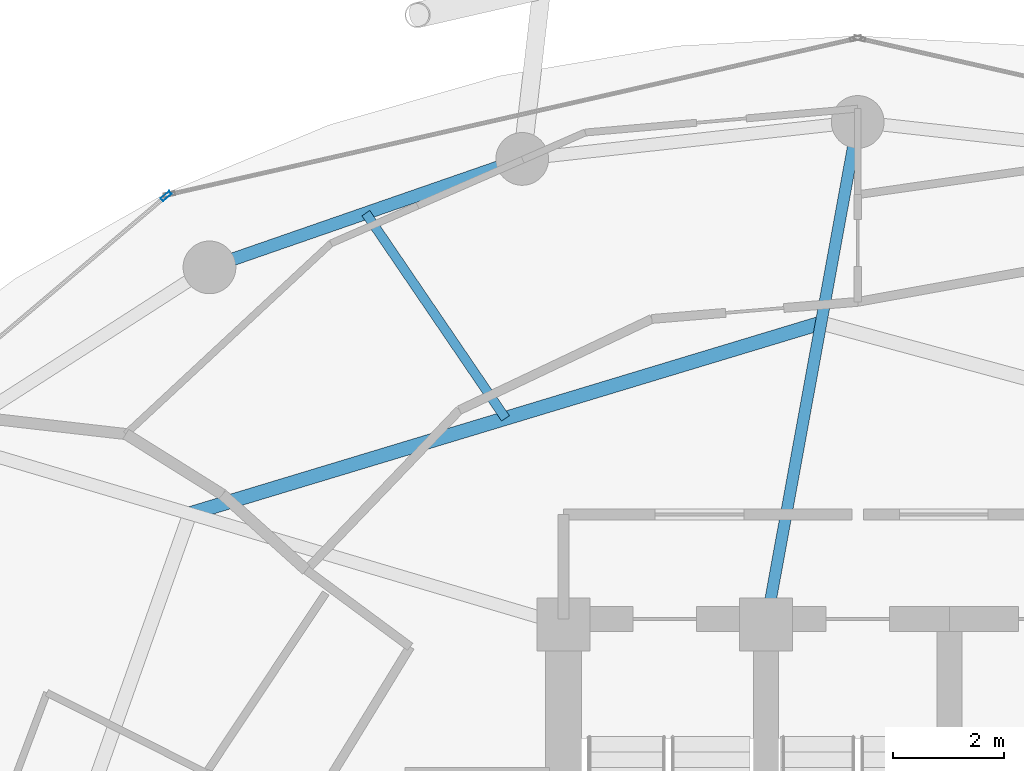
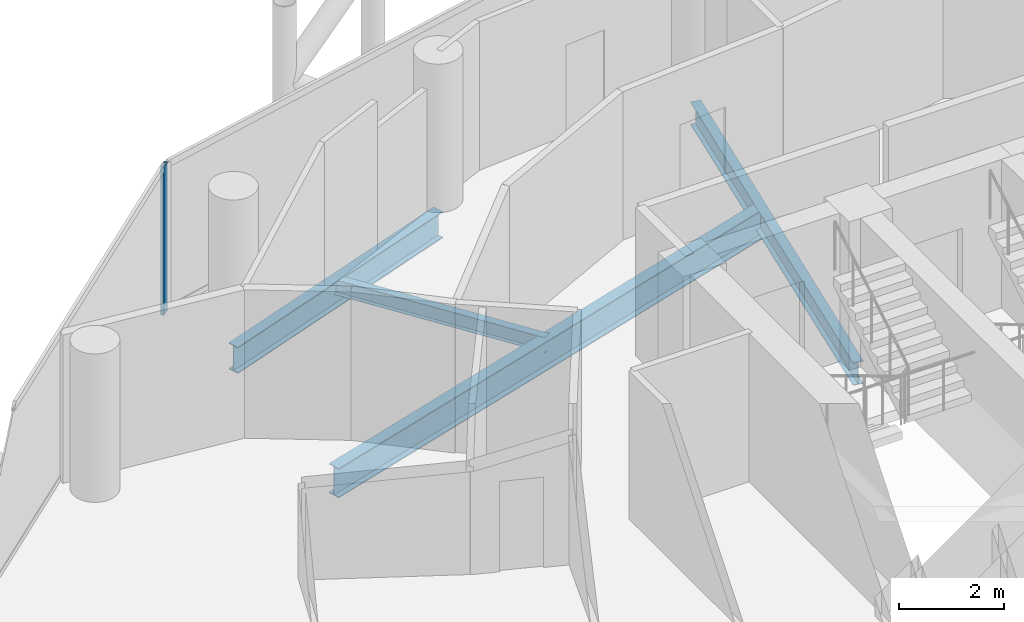
# One storey, part 15 of 26: 4 beams, 1 member, 1 element without a shape of its own.
"""IFC4 building model written with IfcOpenShell, lengths in metres."""

from ifc_helpers import new_model, si_unit, direction, frame, origin, origin_2d, place, context, subcontext, project, spatial, hollow_rectangle, i_section, extrude, material, layer, layer_set, material_profile, profile_set, type_object, element, aggregate, save


model = new_model("IFC4")

# Units and contexts
model_context = context("Model", 3, precision=1e-05, world=origin(), true_north=direction((0.0, 1.0)))
body_context = subcontext(model_context, "Body", "Model", "MODEL_VIEW")
ifc_project = project(units=[si_unit("LENGTHUNIT", "METRE"), si_unit("AREAUNIT", "SQUARE_METRE"), si_unit("VOLUMEUNIT", "CUBIC_METRE"), si_unit("PLANEANGLEUNIT", "RADIAN"), si_unit("MASSUNIT", "GRAM", prefix="KILO")], contexts=[model_context])

# Site, building, storey
site_placement = place(None, origin())
site = spatial("IfcSite", under=ifc_project, at=site_placement, CompositionType="ELEMENT")
building_placement = place(site_placement, origin())
building = spatial("IfcBuilding", under=site, at=building_placement, Name="Nuhasar Tower", CompositionType="ELEMENT")
storey_placement = place(building_placement, frame((0.0, 0.0, 151.550048828125)))
storey = spatial("IfcBuildingStorey", under=building, at=storey_placement, Name="L36", CompositionType="ELEMENT", Elevation=151.550048828125)

# Beams
ifc_material_1 = material(Name="Steel S355", Category="steel")
ifc_material_profile_1 = material_profile(ifc_material_1, i_section(OverallWidth=0.25390625, OverallDepth=0.68408203125, WebThickness=0.012451171875, FlangeThickness=0.018798828125, at=origin_2d()), Name="W27X94")
ifc_profile_set_1 = profile_set([ifc_material_profile_1], Name="Steel S355")
beam_type_1 = type_object("IfcBeamType", Name="BM-INRING-W27X94", PredefinedType="BEAM", material=ifc_profile_set_1)
beam_1_placement = place(storey_placement, frame((38.340087890625, 42.72998046875, -0.592041015625), z_axis=(-0.95722440557, -0.289346569673, 0.0), x_axis=(0.289346569673, -0.95722440557, 0.0)))
element("IfcBeam", 1, at=beam_1_placement, inside=storey, type_object=beam_type_1, Name="L36 Inner Header Beam 06", PredefinedType="BEAM", context=body_context, shape_type="SweptSolid", body=[
    extrude(i_section(OverallWidth=0.25390625, OverallDepth=0.68408203125, WebThickness=0.012451171875, FlangeThickness=0.018798828125, at=origin_2d()), origin(), (0.0, 0.0, 1.0), 11.875244140625),
])
ifc_material_profile_2 = material_profile(ifc_material_1, i_section(OverallWidth=0.1708984375, OverallDepth=0.35205078125, WebThickness=0.0068359375, FlangeThickness=0.009765625, at=origin_2d()), Name="W14X30")
ifc_profile_set_2 = profile_set([ifc_material_profile_2], Name="Steel S355")
beam_type_2 = type_object("IfcBeamType", Name="BM-JST-W14X30", PredefinedType="JOIST", material=ifc_profile_set_2)
beam_2_placement = place(storey_placement, frame((32.656982421875, 41.011962890625, -0.426025390625), z_axis=(-0.562802886474, 0.826591138941, 0.0), x_axis=(-0.826591138941, -0.562802886474, 0.0)))
element("IfcBeam", 2, at=beam_2_placement, inside=storey, type_object=beam_type_2, Name="L36 Secondary Floor Joist 06", PredefinedType="JOIST", context=body_context, shape_type="SweptSolid", body=[
    extrude(i_section(OverallWidth=0.1708984375, OverallDepth=0.35205078125, WebThickness=0.0068359375, FlangeThickness=0.009765625, at=origin_2d()), origin(), (0.0, 0.0, 1.0), 4.47021484375),
])
ifc_material_profile_3 = material_profile(ifc_material_1, i_section(OverallWidth=0.208984375, OverallDepth=0.532958984375, WebThickness=0.01025390625, FlangeThickness=0.015625, at=origin_2d()), Name="W21X62")
ifc_profile_set_3 = profile_set([ifc_material_profile_3], Name="Steel S355")
beam_type_3 = type_object("IfcBeamType", Name="BM-RAD-W21X62", PredefinedType="BEAM", material=ifc_profile_set_3)
beam_3_placement = place(storey_placement, frame((37.35009765625, 37.300048828125, -0.51611328125), z_axis=(0.179352509513, 0.983784873502, 0.0), x_axis=(-0.983784873502, 0.179352509513, 0.0)))
element("IfcBeam", 3, at=beam_3_placement, inside=storey, type_object=beam_type_3, Name="L36 Radial Floor Girder 06", PredefinedType="BEAM", context=body_context, shape_type="SweptSolid", body=[
    extrude(i_section(OverallWidth=0.208984375, OverallDepth=0.532958984375, WebThickness=0.01025390625, FlangeThickness=0.015625, at=origin_2d()), origin(), (0.0, 0.0, 1.0), 9.19921875),
])
ifc_material_profile_4 = material_profile(ifc_material_1, i_section(OverallWidth=0.22998046875, OverallDepth=0.616943359375, WebThickness=0.01318359375, FlangeThickness=0.022216796875, at=origin_2d()), Name="W24X94")
ifc_profile_set_4 = profile_set([ifc_material_profile_4], Name="Steel S355")
beam_type_4 = type_object("IfcBeamType", Name="BM-RING-W24X94", PredefinedType="SPANDREL", material=ifc_profile_set_4)
beam_4_placement = place(storey_placement, frame((32.95703125, 45.68408203125, -0.55810546875), z_axis=(-0.944801380051, -0.327643636066, 0.0), x_axis=(0.327643636066, -0.944801380051, 0.0)))
element("IfcBeam", 4, at=beam_4_placement, inside=storey, type_object=beam_type_4, Name="L36 Perimeter Ring Spandrel 08", PredefinedType="SPANDREL", context=body_context, shape_type="SweptSolid", body=[
    extrude(i_section(OverallWidth=0.22998046875, OverallDepth=0.616943359375, WebThickness=0.01318359375, FlangeThickness=0.022216796875, at=origin_2d()), origin(), (0.0, 0.0, 1.0), 5.961181640625),
])

# Curtain wall, member
ifc_material_2 = material(Name="Aluminium 6063-T6", Category="aluminium")
ifc_layer = layer(ifc_material_2, 0.199951171875)
ifc_layer_set = layer_set([ifc_layer], Name="Aluminium 6063-T6")
curtain_wall_type = type_object("IfcCurtainWallType", Name="CW-Z2-HTL", PredefinedType="NOTDEFINED", material=ifc_layer_set)
curtain_wall_placement = place(storey_placement, origin())
curtain_wall = element("IfcCurtainWall", 5, at=curtain_wall_placement, inside=storey, type_object=curtain_wall_type, Name="L36 Unitised Curtain Wall 05", PredefinedType="NOTDEFINED")
ifc_material_profile_5 = material_profile(ifc_material_2, hollow_rectangle(XDim=0.070068359375, YDim=0.199951171875, WallThickness=0.0048828125, at=origin_2d()), Name="CWM-3")
ifc_profile_set_5 = profile_set([ifc_material_profile_5], Name="Aluminium 6063-T6")
member_type = type_object("IfcMemberType", Name="CW-MUL-S3", PredefinedType="MULLION", material=ifc_profile_set_5)
member_placement = place(storey_placement, frame((26.543212890625, 45.015380859375, 0.0), z_axis=(0.0, 0.0, 1.0), x_axis=(0.646374438324, -0.763020370292, 0.0)))
member = element("IfcMember", 6, at=member_placement, type_object=member_type, Name="CW-Z2 mullion 1", PredefinedType="MULLION", context=body_context, shape_type="SweptSolid", body=[
    extrude(hollow_rectangle(XDim=0.070068359375, YDim=0.199951171875, WallThickness=0.0048828125, at=origin_2d()), origin(), (0.0, 0.0, 1.0), 3.449951171875),
])
aggregate(curtain_wall, [member])

save(model, "model.ifc")
